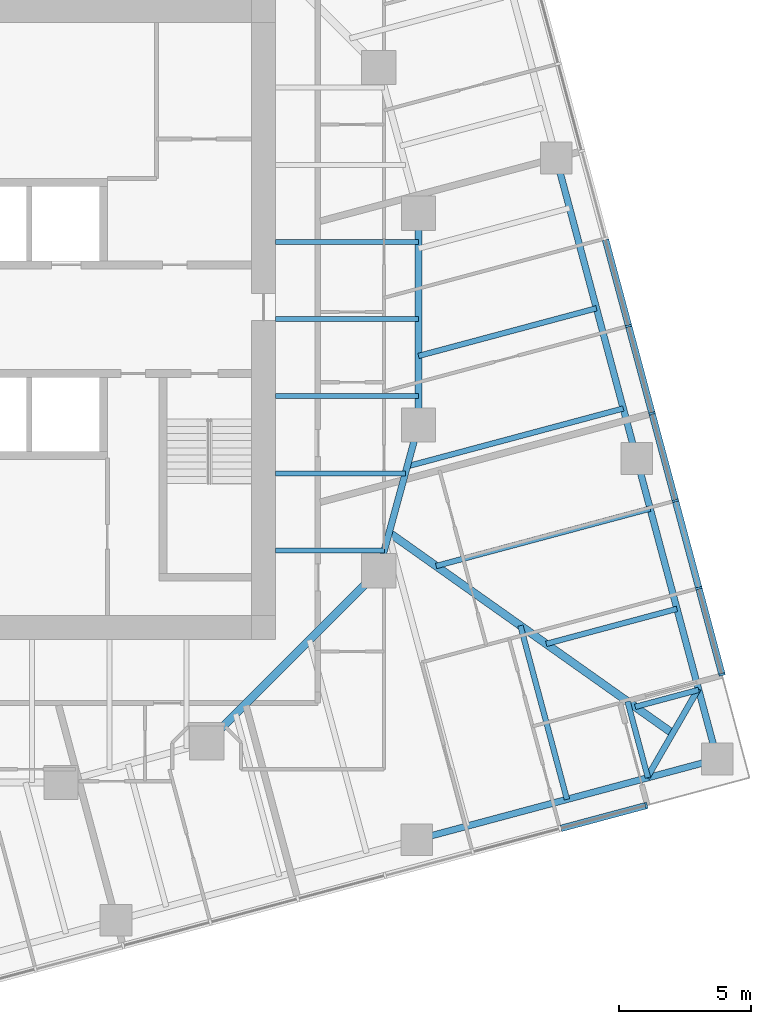
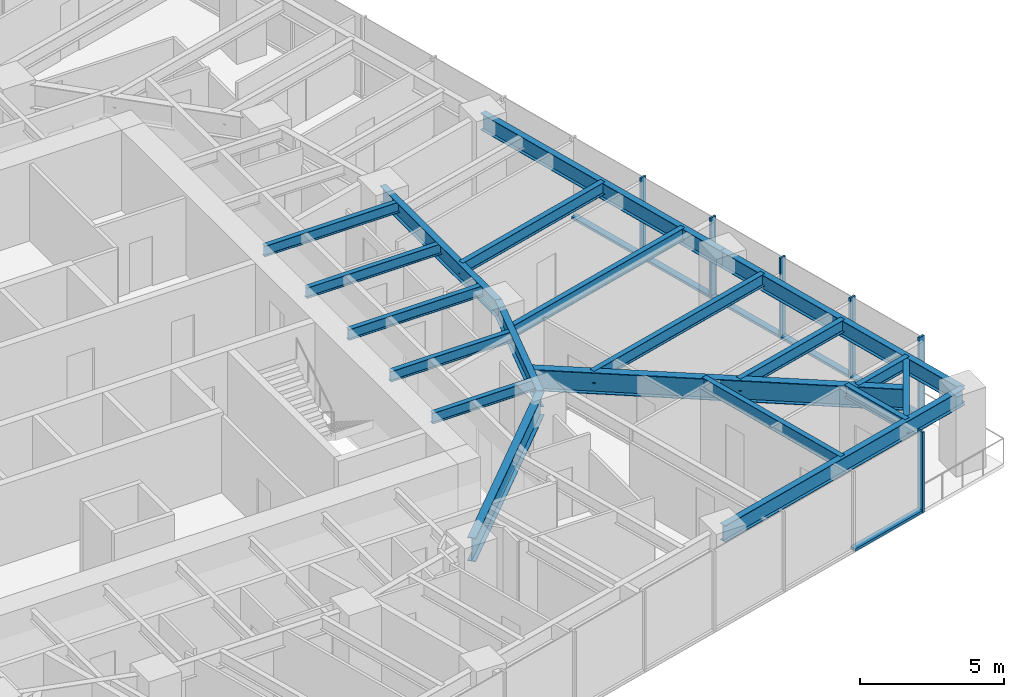
# One storey, part 4 of 14: 20 beams, 12 members, 2 elements without a shape of their own.
"""IFC4 building model written with IfcOpenShell, lengths in metres."""

import ifcopenshell
import ifcopenshell.guid

model = None  # the IFC model being written
_history = None  # IfcOwnerHistory: only IFC2X3 demands one
_inside = {}  # id of a spatial element -> (the spatial element, [elements in it])
_under = {}  # id of a project, library or spatial element -> (it, [spatial elements below it])
_declared = {}  # id of a project -> (the project, [libraries it declares])
_typed = {}  # id of a type object -> (the type object, [elements of that type])
_made_of = {}  # id of a material, layer set ... -> (it, [elements and type objects made of it])


def new_model(schema):
    """Start an empty IFC model of exactly this schema.

    Asked for "IFC4X3", IfcOpenShell would pick the latest addendum, in which some entities
    have other attributes; the version numbers below select the first issue.
    IFC2X3 requires an IfcOwnerHistory on every rooted entity: one is made here for all.
    """
    global model, _history
    if schema == "IFC4X3":
        model = ifcopenshell.file(schema_version=(4, 3, 0, 0))
    else:
        model = ifcopenshell.file(schema=schema)
    _inside.clear()
    _under.clear()
    _declared.clear()
    _typed.clear()
    _made_of.clear()
    _history = None
    if model.schema == "IFC2X3":
        org = make("IfcOrganization", Name="unknown")
        user = make(
            "IfcPersonAndOrganization",
            ThePerson=make("IfcPerson", FamilyName="unknown"),
            TheOrganization=org,
        )
        app = make(
            "IfcApplication",
            ApplicationDeveloper=org,
            Version="unknown",
            ApplicationFullName="unknown",
            ApplicationIdentifier="unknown",
        )
        _history = make(
            "IfcOwnerHistory",
            OwningUser=user,
            OwningApplication=app,
            ChangeAction="ADDED",
            CreationDate=0,
        )
    return model


def make(cls, **values):
    """One entity of the class cls with the attributes given. An attribute that is None is left unset."""
    return model.create_entity(
        cls, **{name: value for name, value in values.items() if value is not None}
    )


def rooted(cls, **values):
    """An entity with a GlobalId (a new one), such as an element, a storey or a relation."""
    return make(cls, GlobalId=ifcopenshell.guid.new(), OwnerHistory=_history, **values)


def si_unit(unit_type, name, prefix=None):
    """IfcSIUnit, for example si_unit("LENGTHUNIT", "METRE", prefix="MILLI")."""
    return make("IfcSIUnit", UnitType=unit_type, Prefix=prefix, Name=name)


def assignment(units):
    """IfcUnitAssignment: the units of a project."""
    return None if units is None else make("IfcUnitAssignment", Units=units)


def point(xyz):
    """IfcCartesianPoint."""
    return None if xyz is None else make("IfcCartesianPoint", Coordinates=xyz)


def direction(xyz):
    """IfcDirection."""
    return None if xyz is None else make("IfcDirection", DirectionRatios=xyz)


def frame(location, z_axis=None, x_axis=None):
    """IfcAxis2Placement3D, a coordinate frame: its origin and axes. An axis left out is left unset."""
    return make(
        "IfcAxis2Placement3D",
        Location=point(location),
        Axis=direction(z_axis),
        RefDirection=direction(x_axis),
    )


def frame_2d(location, x_axis=None):
    """IfcAxis2Placement2D, a coordinate frame in the plane: its origin and x axis."""
    return make(
        "IfcAxis2Placement2D", Location=point(location), RefDirection=direction(x_axis)
    )


def origin():
    """The frame at (0, 0, 0) with its axes left unset."""
    return frame((0.0, 0.0, 0.0))


def origin_2d():
    """The frame at (0, 0) in the plane with its x axis left unset."""
    return frame_2d((0.0, 0.0))


def place(relative_to, where):
    """IfcLocalPlacement: puts the frame where relative to a parent placement (None: the world)."""
    return make(
        "IfcLocalPlacement", PlacementRelTo=relative_to, RelativePlacement=where
    )


def context(
    kind, dimensions, precision=None, world=None, true_north=None, identifier=None
):
    """IfcGeometricRepresentationContext, for example the 3D "Model" context."""
    return make(
        "IfcGeometricRepresentationContext",
        ContextIdentifier=identifier,
        ContextType=kind,
        CoordinateSpaceDimension=dimensions,
        Precision=precision,
        WorldCoordinateSystem=world,
        TrueNorth=true_north,
    )


def subcontext(parent, identifier, kind, view, scale=None):
    """IfcGeometricRepresentationSubContext, for example "Body" below "Model"."""
    return make(
        "IfcGeometricRepresentationSubContext",
        ContextIdentifier=identifier,
        ContextType=kind,
        ParentContext=parent,
        TargetScale=scale,
        TargetView=view,
    )


def project(units=None, contexts=None):
    """IfcProject with its units and contexts."""
    return rooted(
        "IfcProject",
        Name="project",
        RepresentationContexts=contexts,
        UnitsInContext=assignment(units),
    )


def spatial(cls, under=None, at=None, **own):
    """A site, building, storey or space (cls), placed at a placement, below another one or the project."""
    s = rooted(cls, ObjectPlacement=at, **own)
    if under is not None:
        _under.setdefault(under.id(), (under, []))[1].append(s)
    return s


def profile(cls, at=None, kind="AREA", **sizes):
    """A parametric profile (cls). Its sizes go by their IFC names, for example OverallWidth=200.0."""
    return make(cls, ProfileType=kind, Position=at, **sizes)


def rectangle(**sizes):
    """IfcRectangleProfileDef."""
    return profile("IfcRectangleProfileDef", **sizes)


def i_section(**sizes):
    """IfcIShapeProfileDef."""
    return profile("IfcIShapeProfileDef", **sizes)


def extrude(swept, where, along, depth):
    """IfcExtrudedAreaSolid: the profile swept, set in the frame where, extruded along a direction by depth."""
    return make(
        "IfcExtrudedAreaSolid",
        SweptArea=swept,
        Position=where,
        ExtrudedDirection=direction(along),
        Depth=depth,
    )


def shape(context_of_items, identifier, shape_type, items):
    """IfcShapeRepresentation: the items that make up one representation, for example the "Body"."""
    return make(
        "IfcShapeRepresentation",
        ContextOfItems=context_of_items,
        RepresentationIdentifier=identifier,
        RepresentationType=shape_type,
        Items=items,
    )


def material(Name=None, Category=None):
    """IfcMaterial."""
    return make("IfcMaterial", Name=Name, Category=Category)


def material_profile(
    of_material, cross_section, Name=None, Category=None, Priority=None
):
    """IfcMaterialProfile: a cross section and its material."""
    return make(
        "IfcMaterialProfile",
        Name=Name,
        Material=of_material,
        Profile=cross_section,
        Priority=Priority,
        Category=Category,
    )


def profile_set(profiles, Name=None, composite=None):
    """IfcMaterialProfileSet."""
    return make(
        "IfcMaterialProfileSet",
        Name=Name,
        MaterialProfiles=profiles,
        CompositeProfile=composite,
    )


def made_of(thing, what):
    """Note that an element or type object is made of a material, layer set ...; save() writes the relation."""
    if what is not None:
        _made_of.setdefault(what.id(), (what, []))[1].append(thing)
    return thing


def type_object(cls, material=None, **own):
    """A type object (cls), such as IfcWallType, which elements share."""
    return made_of(rooted(cls, **own), material)


def element(
    cls,
    number,
    at=None,
    inside=None,
    cuts=None,
    type_object=None,
    material=None,
    context=None,
    identifier="Body",
    shape_type=None,
    held_by="IfcProductDefinitionShape",
    body=None,
    shapes=None,
    **own,
):
    """One element of the class cls, such as IfcWall. Its Tag is "e" and its number.

    at: its placement. inside: the storey or other place that contains it. cuts: it is an
    opening in that element (IfcRelVoidsElement). A single representation is given by context,
    identifier, shape_type and body (its items); several are given by shapes. held_by: the class
    of the entity that holds the representations. save() writes the other relations.
    """
    e = rooted(cls, Tag="e%d" % number, ObjectPlacement=at, **own)
    if body is not None:
        shapes = [shape(context, identifier, shape_type, body)]
    if shapes is not None:
        e.Representation = make(held_by, Representations=shapes)
    if inside is not None:
        _inside.setdefault(inside.id(), (inside, []))[1].append(e)
    if cuts is not None:
        rooted(
            "IfcRelVoidsElement", RelatingBuildingElement=cuts, RelatedOpeningElement=e
        )
    if type_object is not None:
        _typed.setdefault(type_object.id(), (type_object, []))[1].append(e)
    return made_of(e, material)


def aggregate(whole, parts):
    """IfcRelAggregates: a whole, such as a stair, and the parts it consists of."""
    return rooted("IfcRelAggregates", RelatingObject=whole, RelatedObjects=parts)


def save(model, path):
    """Write the relations noted so far, then the file.

    IfcRelAggregates (storeys below a building ...), IfcRelContainedInSpatialStructure (elements
    in a storey), IfcRelDefinesByType, IfcRelAssociatesMaterial and IfcRelDeclares: one each for
    every whole, place, type object, material and project.
    """
    for whole, parts in _under.values():
        aggregate(whole, parts)
    for where, things in _inside.values():
        rooted(
            "IfcRelContainedInSpatialStructure",
            RelatedElements=things,
            RelatingStructure=where,
        )
    for kind, things in _typed.values():
        rooted("IfcRelDefinesByType", RelatedObjects=things, RelatingType=kind)
    for what, things in _made_of.values():
        rooted("IfcRelAssociatesMaterial", RelatedObjects=things, RelatingMaterial=what)
    for by, libraries in _declared.values():
        rooted("IfcRelDeclares", RelatingContext=by, RelatedDefinitions=libraries)
    model.write(path)


model = new_model("IFC4")

# Units and contexts
model_context = context("Model", 3, precision=1e-05, world=origin(), true_north=direction((0.0, 1.0)))
body_context = subcontext(model_context, "Body", "Model", "MODEL_VIEW")
ifc_project = project(units=[si_unit("LENGTHUNIT", "METRE"), si_unit("AREAUNIT", "SQUARE_METRE"), si_unit("VOLUMEUNIT", "CUBIC_METRE"), si_unit("PLANEANGLEUNIT", "RADIAN"), si_unit("MASSUNIT", "GRAM", prefix="KILO")], contexts=[model_context])

# Site, building, storey
site_placement = place(None, origin())
site = spatial("IfcSite", under=ifc_project, at=site_placement, CompositionType="ELEMENT")
building_placement = place(site_placement, origin())
building = spatial("IfcBuilding", under=site, at=building_placement, Name="Torsade Residences", CompositionType="ELEMENT")
storey_placement = place(building_placement, frame((0.0, 0.0, 125.199951171875)))
storey = spatial("IfcBuildingStorey", under=building, at=storey_placement, Name="L34", CompositionType="ELEMENT", Elevation=125.199951171875)

# Beams
ifc_material_1 = material(Name="Steel grade 300", Category="steel")
ifc_material_profile_1 = material_profile(ifc_material_1, i_section(OverallWidth=0.300048828125, OverallDepth=0.89990234375, WebThickness=0.011962890625, FlangeThickness=0.02490234375, at=origin_2d()), Name="900WB175")
ifc_profile_set_1 = profile_set([ifc_material_profile_1], Name="Steel grade 300")
beam_type_1 = type_object("IfcBeamType", Name="CORNER GIRDER 900WB175", PredefinedType="BEAM", material=ifc_profile_set_1)
beam_1_placement = place(storey_placement, frame((67.097412109375, 14.355224609375, 2.800048828125), z_axis=(-0.816261084801, 0.577683167004, 0.0), x_axis=(-0.577683167004, -0.816261084801, 0.0)))
element("IfcBeam", 1, at=beam_1_placement, inside=storey, type_object=beam_type_1, Name="Corner girder 05 L35", PredefinedType="BEAM", context=body_context, shape_type="SweptSolid", body=[
    extrude(i_section(OverallWidth=0.300048828125, OverallDepth=0.89990234375, WebThickness=0.011962890625, FlangeThickness=0.02490234375, at=origin_2d()), origin(), (0.0, 0.0, 1.0), 13.116943359375),
])
ifc_material_2 = material(Name="Steel grade 300", Category="steel")
ifc_material_profile_2 = material_profile(ifc_material_2, i_section(OverallWidth=0.22802734375, OverallDepth=0.60205078125, WebThickness=0.010498046875, FlangeThickness=0.014892578125, FilletRadius=0.013916015625, at=origin_2d()), Name="610UB101")
ifc_profile_set_2 = profile_set([ifc_material_profile_2], Name="Steel grade 300")
beam_type_2 = type_object("IfcBeamType", Name="CORNER TRIMMER 610UB101", PredefinedType="BEAM", material=ifc_profile_set_2)
beam_2_placement = place(storey_placement, frame((68.06982421875, 16.039306640625, 2.948974609375), z_axis=(-0.499994147244, -0.866028782848, 0.0), x_axis=(0.866028782848, -0.499994147244, 0.0)))
element("IfcBeam", 2, at=beam_2_placement, inside=storey, type_object=beam_type_2, Name="Corner trimmer 05 L35", PredefinedType="BEAM", context=body_context, shape_type="SweptSolid", body=[
    extrude(i_section(OverallWidth=0.22802734375, OverallDepth=0.60205078125, WebThickness=0.010498046875, FlangeThickness=0.014892578125, FilletRadius=0.013916015625, at=origin_2d()), origin(), (0.0, 0.0, 1.0), 3.88916015625),
])
ifc_material_3 = material(Name="Steel grade 300", Category="steel")
ifc_material_profile_3 = material_profile(ifc_material_3, i_section(OverallWidth=0.25, OverallDepth=0.699951171875, WebThickness=0.010009765625, FlangeThickness=0.02001953125, at=origin_2d()), Name="700WB130")
ifc_profile_set_3 = profile_set([ifc_material_profile_3], Name="Steel grade 300")
beam_type_3 = type_object("IfcBeamType", Name="EDGE BEAM 700WB130", PredefinedType="SPANDREL", material=ifc_profile_set_3)
for number, where, z_axis, x_axis, name in (
    (3, (57.431884765625, 10.341796875, 2.900146484375), (0.965922824118, 0.258830249097, 0.0), (-0.258830249097, 0.965922824118, 0.0), "Edge beam 04 L35"),
    (4, (68.781494140625, 13.383056640625, 2.900146484375), (-0.258810863021, 0.965928018634, 0.0), (-0.965928018634, -0.258810863021, 0.0), "Edge beam 05 L35"),
    (5, (65.740478515625, 24.732666015625, 2.900146484375), (-0.258830249097, 0.965922824118, 0.0), (-0.965922824118, -0.258830249097, 0.0), "Edge beam 06 L35"),
):
    element("IfcBeam", number, at=place(storey_placement, frame(where, z_axis=z_axis, x_axis=x_axis)), inside=storey, type_object=beam_type_3, Name=name, PredefinedType="SPANDREL", context=body_context, shape_type="SweptSolid", body=[
        extrude(i_section(OverallWidth=0.25, OverallDepth=0.699951171875, WebThickness=0.010009765625, FlangeThickness=0.02001953125, at=origin_2d()), origin(), (0.0, 0.0, 1.0), 11.75),
    ])
ifc_material_4 = material(Name="Steel grade 300", Category="steel")
ifc_material_profile_4 = material_profile(ifc_material_4, i_section(OverallWidth=0.18994140625, OverallDepth=0.4541015625, WebThickness=0.008544921875, FlangeThickness=0.0126953125, FilletRadius=0.011474609375, at=origin_2d()), Name="460UB67.1")
ifc_profile_set_4 = profile_set([ifc_material_profile_4], Name="Steel grade 300")
beam_type_4 = type_object("IfcBeamType", Name="INNER FLOOR BEAM 460UB67.1", PredefinedType="JOIST", material=ifc_profile_set_4)
beam_3_placement = place(storey_placement, frame((52.10009765625, 21.262451171875, 3.02294921875), z_axis=(1.0, 0.0, 0.0), x_axis=(0.0, 1.0, 0.0)))
element("IfcBeam", 6, at=beam_3_placement, inside=storey, type_object=beam_type_4, Name="Inner floor beam IE01 L35", PredefinedType="JOIST", context=body_context, shape_type="SweptSolid", body=[
    extrude(i_section(OverallWidth=0.18994140625, OverallDepth=0.4541015625, WebThickness=0.008544921875, FlangeThickness=0.0126953125, FilletRadius=0.011474609375, at=origin_2d()), origin(), (0.0, 0.0, 1.0), 4.10791015625),
])
beam_4_placement = place(storey_placement, frame((52.10009765625, 24.175048828125, 3.02294921875), z_axis=(1.0, 0.0, 0.0), x_axis=(0.0, 1.0, 0.0)))
element("IfcBeam", 7, at=beam_4_placement, inside=storey, type_object=beam_type_4, Name="Inner floor beam IE02 L35", PredefinedType="JOIST", context=body_context, shape_type="SweptSolid", body=[
    extrude(i_section(OverallWidth=0.18994140625, OverallDepth=0.4541015625, WebThickness=0.008544921875, FlangeThickness=0.0126953125, FilletRadius=0.011474609375, at=origin_2d()), origin(), (0.0, 0.0, 1.0), 4.902099609375),
])
for number, where, z_axis, x_axis, name in (
    (8, (52.10009765625, 27.08740234375, 3.02294921875), (1.0, 0.0, 0.0), (0.0, 1.0, 0.0), "Inner floor beam IE03 L35"),
    (9, (52.10009765625, 30.0, 3.02294921875), (1.0, 0.0, 0.0), (0.0, 1.0, 0.0), "Inner floor beam IE04 L35"),
    (10, (52.10009765625, 32.91259765625, 3.02294921875), (1.0, 0.0, 0.0), (0.0, 1.0, 0.0), "Inner floor beam IE05 L35"),
):
    element("IfcBeam", number, at=place(storey_placement, frame(where, z_axis=z_axis, x_axis=x_axis)), inside=storey, type_object=beam_type_4, Name=name, PredefinedType="JOIST", context=body_context, shape_type="SweptSolid", body=[
        extrude(i_section(OverallWidth=0.18994140625, OverallDepth=0.4541015625, WebThickness=0.008544921875, FlangeThickness=0.0126953125, FilletRadius=0.011474609375, at=origin_2d()), origin(), (0.0, 0.0, 1.0), 5.39990234375),
    ])

# Curtain wall, member
ifc_material_5 = material(Name="Aluminium and glass", Category="aluminium")
curtain_wall_type = type_object("IfcCurtainWallType", Name="FRITTED GLASS CURTAIN WALL MID ZONE", PredefinedType="NOTDEFINED", material=ifc_material_5)
curtain_wall_1_placement = place(storey_placement, origin())
curtain_wall_1 = element("IfcCurtainWall", 11, at=curtain_wall_1_placement, inside=storey, type_object=curtain_wall_type, Name="Curtain wall L34 face 1", PredefinedType="NOTDEFINED")
ifc_material_6 = material(Name="Aluminium mullion", Category="aluminium")
ifc_material_profile_5 = material_profile(ifc_material_6, rectangle(XDim=0.25, YDim=0.080078125, at=origin_2d()), Name="MID ZONE CURTAIN WALL MULLION 250x80")
ifc_profile_set_5 = profile_set([ifc_material_profile_5], Name="Aluminium mullion")
member_type_1 = type_object("IfcMemberType", Name="MID ZONE CURTAIN WALL MULLION 250x80", PredefinedType="MULLION", material=ifc_profile_set_5)
member_1_placement = place(storey_placement, frame((66.10400390625, 11.63037109375, 0.0), z_axis=(0.0, 0.0, 1.0), x_axis=(-0.258819047783, 0.965925825571, 0.0)))
member_1 = element("IfcMember", 12, at=member_1_placement, type_object=member_type_1, Name="Mullion 13", PredefinedType="MULLION", context=body_context, shape_type="SweptSolid", body=[
    extrude(rectangle(XDim=0.25, YDim=0.080078125, at=origin_2d()), origin(), (0.0, 0.0, 1.0), 3.400146484375),
])

# Curtain wall, members
curtain_wall_2_placement = place(storey_placement, origin())
curtain_wall_2 = element("IfcCurtainWall", 13, at=curtain_wall_2_placement, inside=storey, type_object=curtain_wall_type, Name="Curtain wall L34 face 4", PredefinedType="NOTDEFINED")
member_2_placement = place(storey_placement, frame((68.960693359375, 16.578125, 0.0), z_axis=(0.0, 0.0, 1.0), x_axis=(-0.965925825571, -0.258819047783, 0.0)))
member_2 = element("IfcMember", 14, at=member_2_placement, type_object=member_type_1, Name="Mullion 1", PredefinedType="MULLION", context=body_context, shape_type="SweptSolid", body=[
    extrude(rectangle(XDim=0.25, YDim=0.080078125, at=origin_2d()), origin(), (0.0, 0.0, 1.0), 3.400146484375),
])
member_3_placement = place(storey_placement, frame((68.086669921875, 19.83984375, 0.0), z_axis=(0.0, 0.0, 1.0), x_axis=(-0.965925825571, -0.258819047783, 0.0)))
member_3 = element("IfcMember", 15, at=member_3_placement, type_object=member_type_1, Name="Mullion 2", PredefinedType="MULLION", context=body_context, shape_type="SweptSolid", body=[
    extrude(rectangle(XDim=0.25, YDim=0.080078125, at=origin_2d()), origin(), (0.0, 0.0, 1.0), 3.400146484375),
])
member_4_placement = place(storey_placement, frame((67.202392578125, 23.14013671875, 0.0), z_axis=(0.0, 0.0, 1.0), x_axis=(-0.965925825571, -0.258819047783, 0.0)))
member_4 = element("IfcMember", 16, at=member_4_placement, type_object=member_type_1, Name="Mullion 3", PredefinedType="MULLION", context=body_context, shape_type="SweptSolid", body=[
    extrude(rectangle(XDim=0.25, YDim=0.080078125, at=origin_2d()), origin(), (0.0, 0.0, 1.0), 3.400146484375),
])
member_5_placement = place(storey_placement, frame((66.318115234375, 26.4404296875, 0.0), z_axis=(0.0, 0.0, 1.0), x_axis=(-0.965925825571, -0.258819047783, 0.0)))
member_5 = element("IfcMember", 17, at=member_5_placement, type_object=member_type_1, Name="Mullion 4", PredefinedType="MULLION", context=body_context, shape_type="SweptSolid", body=[
    extrude(rectangle(XDim=0.25, YDim=0.080078125, at=origin_2d()), origin(), (0.0, 0.0, 1.0), 3.400146484375),
])
member_6_placement = place(storey_placement, frame((65.433837890625, 29.740478515625, 0.0), z_axis=(0.0, 0.0, 1.0), x_axis=(-0.965925825571, -0.258819047783, 0.0)))
member_6 = element("IfcMember", 18, at=member_6_placement, type_object=member_type_1, Name="Mullion 5", PredefinedType="MULLION", context=body_context, shape_type="SweptSolid", body=[
    extrude(rectangle(XDim=0.25, YDim=0.080078125, at=origin_2d()), origin(), (0.0, 0.0, 1.0), 3.400146484375),
])

# Member
ifc_material_7 = material(Name="Aluminium transom", Category="aluminium")
ifc_material_profile_6 = material_profile(ifc_material_7, rectangle(XDim=0.25, YDim=0.110107421875, at=origin_2d()), Name="MID ZONE CURTAIN WALL TRANSOM 250x110")
ifc_profile_set_6 = profile_set([ifc_material_profile_6], Name="Aluminium transom")
member_type_2 = type_object("IfcMemberType", Name="MID ZONE CURTAIN WALL TRANSOM 250x110", PredefinedType="USERDEFINED", material=ifc_profile_set_6)
member_7_placement = place(storey_placement, frame((62.880859375, 10.7666015625, 0.054931640625), z_axis=(0.965923258633, 0.258828627534, 0.0), x_axis=(-0.258828627534, 0.965923258633, 0.0)))
member_7 = element("IfcMember", 19, at=member_7_placement, type_object=member_type_2, Name="Transom 12.1", ObjectType="TRANSOM", PredefinedType="USERDEFINED", context=body_context, shape_type="SweptSolid", body=[
    extrude(rectangle(XDim=0.25, YDim=0.110107421875, at=origin_2d()), origin(), (0.0, 0.0, 1.0), 3.296630859375),
])

aggregate(curtain_wall_1, [member_1, member_7])

member_8_placement = place(storey_placement, frame((68.9501953125, 16.616943359375, 0.054931640625), z_axis=(-0.258828627534, 0.965923258633, 0.0), x_axis=(-0.965923258633, -0.258828627534, 0.0)))
member_8 = element("IfcMember", 20, at=member_8_placement, type_object=member_type_2, Name="Transom 1.1", ObjectType="TRANSOM", PredefinedType="USERDEFINED", context=body_context, shape_type="SweptSolid", body=[
    extrude(rectangle(XDim=0.25, YDim=0.110107421875, at=origin_2d()), origin(), (0.0, 0.0, 1.0), 3.296630859375),
])

member_9_placement = place(storey_placement, frame((68.076416015625, 19.87841796875, 0.054931640625), z_axis=(-0.258855549498, 0.965916044226, 0.0), x_axis=(-0.965916044226, -0.258855549498, 0.0)))
member_9 = element("IfcMember", 21, at=member_9_placement, type_object=member_type_2, Name="Transom 2.1", ObjectType="TRANSOM", PredefinedType="USERDEFINED", context=body_context, shape_type="SweptSolid", body=[
    extrude(rectangle(XDim=0.25, YDim=0.110107421875, at=origin_2d()), origin(), (0.0, 0.0, 1.0), 3.3369140625),
])

member_10_placement = place(storey_placement, frame((67.192138671875, 23.1787109375, 0.054931640625), z_axis=(-0.258873844232, 0.96591114124, 0.0), x_axis=(-0.96591114124, -0.258873844232, 0.0)))
member_10 = element("IfcMember", 22, at=member_10_placement, type_object=member_type_2, Name="Transom 3.1", ObjectType="TRANSOM", PredefinedType="USERDEFINED", context=body_context, shape_type="SweptSolid", body=[
    extrude(rectangle(XDim=0.25, YDim=0.110107421875, at=origin_2d()), origin(), (0.0, 0.0, 1.0), 3.336669921875),
])

member_11_placement = place(storey_placement, frame((66.3076171875, 26.47900390625, 0.054931640625), z_axis=(-0.258805576255, 0.965929435155, 0.0), x_axis=(-0.965929435155, -0.258805576255, 0.0)))
member_11 = element("IfcMember", 23, at=member_11_placement, type_object=member_type_2, Name="Transom 4.1", ObjectType="TRANSOM", PredefinedType="USERDEFINED", context=body_context, shape_type="SweptSolid", body=[
    extrude(rectangle(XDim=0.25, YDim=0.110107421875, at=origin_2d()), origin(), (0.0, 0.0, 1.0), 3.336669921875),
])

member_12_placement = place(storey_placement, frame((65.42333984375, 29.779296875, 0.054931640625), z_axis=(-0.258805576255, 0.965929435155, 0.0), x_axis=(-0.965929435155, -0.258805576255, 0.0)))
member_12 = element("IfcMember", 24, at=member_12_placement, type_object=member_type_2, Name="Transom 5.1", ObjectType="TRANSOM", PredefinedType="USERDEFINED", context=body_context, shape_type="SweptSolid", body=[
    extrude(rectangle(XDim=0.25, YDim=0.110107421875, at=origin_2d()), origin(), (0.0, 0.0, 1.0), 3.336669921875),
])

aggregate(curtain_wall_2, [member_2, member_3, member_4, member_5, member_6, member_8, member_9, member_10, member_11, member_12])

# Beams
ifc_material_8 = material(Name="Steel grade 300", Category="steel")
ifc_material_profile_7 = material_profile(ifc_material_8, i_section(OverallWidth=0.300048828125, OverallDepth=1.0, WebThickness=0.01611328125, FlangeThickness=0.028076171875, at=origin_2d()), Name="1000WB215")
ifc_profile_set_7 = profile_set([ifc_material_profile_7], Name="Steel grade 300")
beam_type_5 = type_object("IfcBeamType", Name="RING CORNER GIRDER 1000WB215", PredefinedType="BEAM", material=ifc_profile_set_7)
beam_5_placement = place(storey_placement, frame((49.5, 14.0, 2.75), z_axis=(0.707106781187, 0.707106781187, 0.0), x_axis=(-0.707106781187, 0.707106781187, 0.0)))
element("IfcBeam", 25, at=beam_5_placement, inside=storey, type_object=beam_type_5, Name="Ring girder IR15 L35", PredefinedType="BEAM", context=body_context, shape_type="SweptSolid", body=[
    extrude(i_section(OverallWidth=0.300048828125, OverallDepth=1.0, WebThickness=0.01611328125, FlangeThickness=0.028076171875, at=origin_2d()), origin(), (0.0, 0.0, 1.0), 9.1923828125),
])
ifc_material_9 = material(Name="Steel grade 300", Category="steel")
ifc_material_profile_8 = material_profile(ifc_material_9, i_section(OverallWidth=0.25, OverallDepth=0.699951171875, WebThickness=0.010009765625, FlangeThickness=0.02001953125, at=origin_2d()), Name="700WB130")
ifc_profile_set_8 = profile_set([ifc_material_profile_8], Name="Steel grade 300")
beam_type_6 = type_object("IfcBeamType", Name="RING GIRDER 700WB130", PredefinedType="BEAM", material=ifc_profile_set_8)
beam_6_placement = place(storey_placement, frame((57.5, 26.0, 2.900146484375), z_axis=(0.0, 1.0, 0.0), x_axis=(-1.0, 0.0, 0.0)))
element("IfcBeam", 26, at=beam_6_placement, inside=storey, type_object=beam_type_6, Name="Ring girder IR01 L35", PredefinedType="BEAM", context=body_context, shape_type="SweptSolid", body=[
    extrude(i_section(OverallWidth=0.25, OverallDepth=0.699951171875, WebThickness=0.010009765625, FlangeThickness=0.02001953125, at=origin_2d()), origin(), (0.0, 0.0, 1.0), 8.0),
])
beam_7_placement = place(storey_placement, frame((56.0, 20.5, 2.900146484375), z_axis=(0.263117405792, 0.964763821238, 0.0), x_axis=(-0.964763821238, 0.263117405792, 0.0)))
element("IfcBeam", 27, at=beam_7_placement, inside=storey, type_object=beam_type_6, Name="Ring girder IR16 L35", PredefinedType="BEAM", context=body_context, shape_type="SweptSolid", body=[
    extrude(i_section(OverallWidth=0.25, OverallDepth=0.699951171875, WebThickness=0.010009765625, FlangeThickness=0.02001953125, at=origin_2d()), origin(), (0.0, 0.0, 1.0), 5.700927734375),
])
ifc_material_10 = material(Name="Steel grade 300", Category="steel")
ifc_material_profile_9 = material_profile(ifc_material_10, i_section(OverallWidth=0.208984375, OverallDepth=0.528076171875, WebThickness=0.009521484375, FlangeThickness=0.01318359375, FilletRadius=0.013916015625, at=origin_2d()), Name="530UB82.0")
ifc_profile_set_9 = profile_set([ifc_material_profile_9], Name="Steel grade 300")
beam_type_7 = type_object("IfcBeamType", Name="SECONDARY BEAM 530UB82.0", PredefinedType="JOIST", material=ifc_profile_set_9)
beam_8_placement = place(storey_placement, frame((63.106689453125, 11.862548828125, 2.986083984375), z_axis=(-0.258814533235, 0.965927035229, 0.0), x_axis=(-0.965927035229, -0.258814533235, 0.0)))
element("IfcBeam", 28, at=beam_8_placement, inside=storey, type_object=beam_type_7, Name="Floor beam FS11 L35", PredefinedType="JOIST", context=body_context, shape_type="SweptSolid", body=[
    extrude(i_section(OverallWidth=0.208984375, OverallDepth=0.528076171875, WebThickness=0.009521484375, FlangeThickness=0.01318359375, FilletRadius=0.013916015625, at=origin_2d()), origin(), (0.0, 0.0, 1.0), 6.792724609375),
])
beam_9_placement = place(storey_placement, frame((66.16552734375, 12.68212890625, 2.986083984375), z_axis=(-0.258865750242, 0.965913310475, 0.0), x_axis=(-0.965913310475, -0.258865750242, 0.0)))
element("IfcBeam", 29, at=beam_9_placement, inside=storey, type_object=beam_type_7, Name="Floor beam FS12 L35", PredefinedType="JOIST", context=body_context, shape_type="SweptSolid", body=[
    extrude(i_section(OverallWidth=0.208984375, OverallDepth=0.528076171875, WebThickness=0.009521484375, FlangeThickness=0.01318359375, FilletRadius=0.013916015625, at=origin_2d()), origin(), (0.0, 0.0, 1.0), 2.980224609375),
])
beam_10_placement = place(storey_placement, frame((68.08056640625, 15.9990234375, 2.986083984375), z_axis=(-0.965920834438, -0.258837674225, 0.0), x_axis=(0.258837674225, -0.965920834438, 0.0)))
element("IfcBeam", 30, at=beam_10_placement, inside=storey, type_object=beam_type_7, Name="Floor beam FE01 L35", PredefinedType="JOIST", context=body_context, shape_type="SweptSolid", body=[
    extrude(i_section(OverallWidth=0.208984375, OverallDepth=0.528076171875, WebThickness=0.009521484375, FlangeThickness=0.01318359375, FilletRadius=0.013916015625, at=origin_2d()), origin(), (0.0, 0.0, 1.0), 2.482666015625),
])
beam_11_placement = place(storey_placement, frame((67.260986328125, 19.057861328125, 2.986083984375), z_axis=(-0.965926736728, -0.258815647274, 0.0), x_axis=(0.258815647274, -0.965926736728, 0.0)))
element("IfcBeam", 31, at=beam_11_placement, inside=storey, type_object=beam_type_7, Name="Floor beam FE02 L35", PredefinedType="JOIST", context=body_context, shape_type="SweptSolid", body=[
    extrude(i_section(OverallWidth=0.208984375, OverallDepth=0.528076171875, WebThickness=0.009521484375, FlangeThickness=0.01318359375, FilletRadius=0.013916015625, at=origin_2d()), origin(), (0.0, 0.0, 1.0), 5.11279296875),
])
beam_12_placement = place(storey_placement, frame((66.247314453125, 22.841064453125, 2.986083984375), z_axis=(-0.965924734258, -0.258823120582, 0.0), x_axis=(0.258823120582, -0.965924734258, 0.0)))
element("IfcBeam", 32, at=beam_12_placement, inside=storey, type_object=beam_type_7, Name="Floor beam FE03 L35", PredefinedType="JOIST", context=body_context, shape_type="SweptSolid", body=[
    extrude(i_section(OverallWidth=0.208984375, OverallDepth=0.528076171875, WebThickness=0.009521484375, FlangeThickness=0.01318359375, FilletRadius=0.013916015625, at=origin_2d()), origin(), (0.0, 0.0, 1.0), 8.365966796875),
])
beam_13_placement = place(storey_placement, frame((65.233642578125, 26.624267578125, 2.986083984375), z_axis=(-0.965928701223, -0.258808315464, 0.0), x_axis=(0.258808315464, -0.965928701223, 0.0)))
element("IfcBeam", 33, at=beam_13_placement, inside=storey, type_object=beam_type_7, Name="Floor beam FE04 L35", PredefinedType="JOIST", context=body_context, shape_type="SweptSolid", body=[
    extrude(i_section(OverallWidth=0.208984375, OverallDepth=0.528076171875, WebThickness=0.009521484375, FlangeThickness=0.01318359375, FilletRadius=0.013916015625, at=origin_2d()), origin(), (0.0, 0.0, 1.0), 8.447509765625),
])
beam_14_placement = place(storey_placement, frame((64.2197265625, 30.407470703125, 2.986083984375), z_axis=(-0.965926120836, -0.258817945835, 0.0), x_axis=(0.258817945835, -0.965926120836, 0.0)))
element("IfcBeam", 34, at=beam_14_placement, inside=storey, type_object=beam_type_7, Name="Floor beam FE05 L35", PredefinedType="JOIST", context=body_context, shape_type="SweptSolid", body=[
    extrude(i_section(OverallWidth=0.208984375, OverallDepth=0.528076171875, WebThickness=0.009521484375, FlangeThickness=0.01318359375, FilletRadius=0.013916015625, at=origin_2d()), origin(), (0.0, 0.0, 1.0), 6.956787109375),
])

save(model, "model.ifc")
